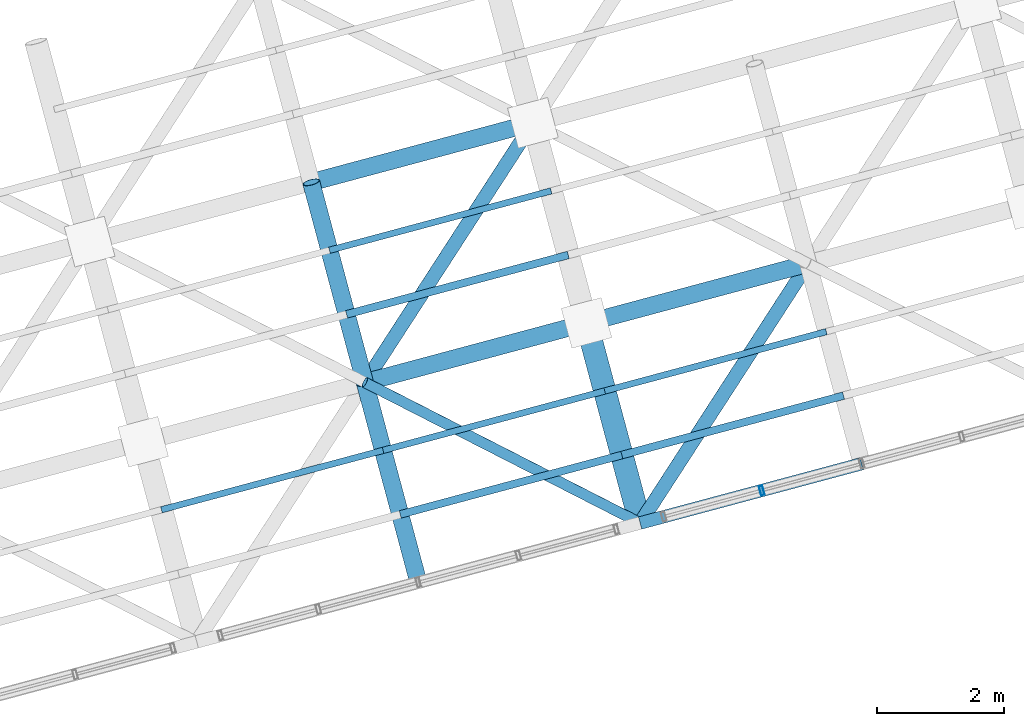
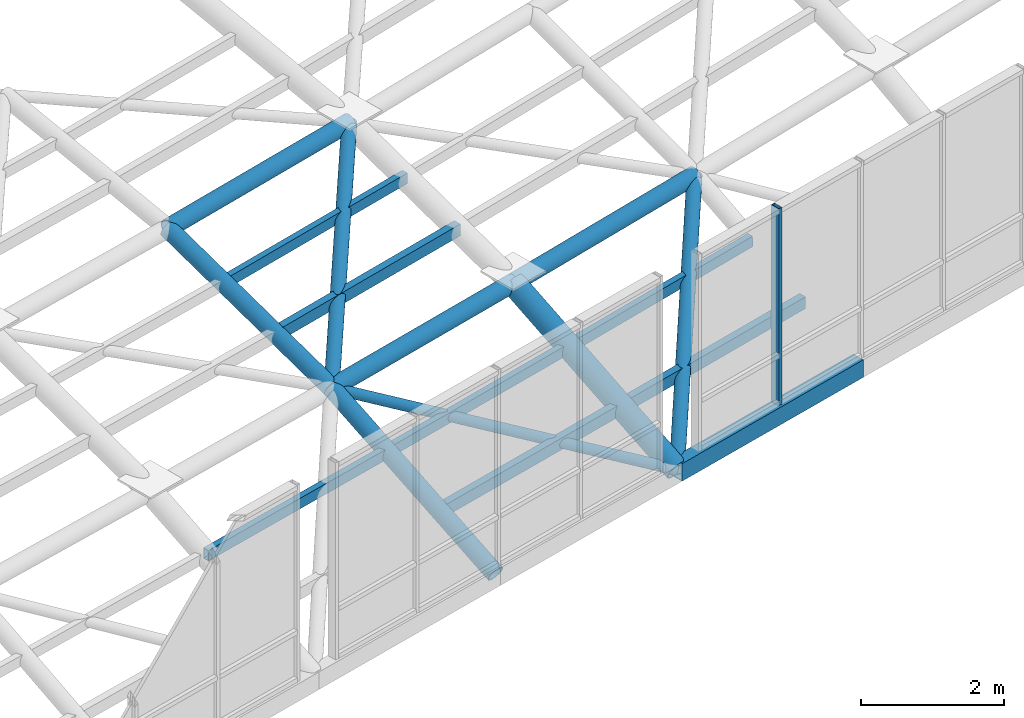
# One storey, part 13 of 29: 18 members, 1 element without a shape of its own.
"""IFC4 building model written with IfcOpenShell, lengths in metres."""

from ifc_helpers import new_model, si_unit, direction, frame, origin, origin_2d, place, context, subcontext, project, spatial, hollow_rectangle, hollow_circle, extrude, material, layer, layer_set, material_profile, profile_set, type_object, element, aggregate, save


model = new_model("IFC4")

# Units and contexts
model_context = context("Model", 3, precision=1e-05, world=origin(), true_north=direction((0.0, 1.0)))
body_context = subcontext(model_context, "Body", "Model", "MODEL_VIEW")
ifc_project = project(units=[si_unit("LENGTHUNIT", "METRE"), si_unit("AREAUNIT", "SQUARE_METRE"), si_unit("VOLUMEUNIT", "CUBIC_METRE"), si_unit("PLANEANGLEUNIT", "RADIAN"), si_unit("MASSUNIT", "GRAM", prefix="KILO")], contexts=[model_context])

# Site, building, storey
site_placement = place(None, origin())
site = spatial("IfcSite", under=ifc_project, at=site_placement, CompositionType="ELEMENT")
building_placement = place(site_placement, origin())
building = spatial("IfcBuilding", under=site, at=building_placement, Name="Ventoquebrada Cableway Terminal", CompositionType="ELEMENT")
storey_placement = place(building_placement, frame((0.0, 0.0, 18.89990234375)))
storey = spatial("IfcBuildingStorey", under=building, at=storey_placement, Name="L04", CompositionType="ELEMENT", Elevation=18.89990234375)

# Members
ifc_material_1 = material(Name="Steel ASTM A500 Grade C", Category="steel")
ifc_material_profile_1 = material_profile(ifc_material_1, hollow_circle(Radius=0.109619140625, WallThickness=0.010009765625, at=origin_2d()), Name="CHS219.1X10")
ifc_profile_set_1 = profile_set([ifc_material_profile_1], Name="Steel ASTM A500 Grade C")
member_type_1 = type_object("IfcMemberType", Name="BRC-GS01", PredefinedType="BRACE", material=ifc_profile_set_1)
member_1_placement = place(storey_placement, frame((68.52294921875, 77.58203125, 2.4951171875), z_axis=(0.528816074692, 0.816406633227, 0.232021051566), x_axis=(-0.839310782724, 0.543651919892, 0.0)))
element("IfcMember", 1, at=member_1_placement, inside=storey, type_object=member_type_1, Name="Saddle gridshell diagrid brace GBR-0316", PredefinedType="BRACE", context=body_context, shape_type="SweptSolid", body=[
    extrude(hollow_circle(Radius=0.109619140625, WallThickness=0.010009765625, at=origin_2d()), origin(), (0.0, 0.0, 1.0), 4.986572265625),
])
member_2_placement = place(storey_placement, frame((72.842041015625, 75.375, 0.920166015625), z_axis=(0.514518979655, 0.794628506599, 0.322235559917), x_axis=(-0.839402648036, 0.543510068416, 0.0)))
element("IfcMember", 2, at=member_2_placement, inside=storey, type_object=member_type_1, Name="Saddle gridshell diagrid brace GBR-0337", PredefinedType="BRACE", context=body_context, shape_type="SweptSolid", body=[
    extrude(hollow_circle(Radius=0.109619140625, WallThickness=0.010009765625, at=origin_2d()), origin(), (0.0, 0.0, 1.0), 5.123291015625),
])
ifc_material_profile_2 = material_profile(ifc_material_1, hollow_circle(Radius=0.084228515625, WallThickness=0.008056640625, at=origin_2d()), Name="CHS168.3X8")
ifc_profile_set_2 = profile_set([ifc_material_profile_2], Name="Steel ASTM A500 Grade C")
member_type_2 = type_object("IfcMemberType", Name="BRC-GS02", PredefinedType="BRACE", material=ifc_profile_set_2)
member_3_placement = place(storey_placement, frame((68.52294921875, 77.58203125, 2.4951171875), z_axis=(0.846945674883, -0.432784404553, -0.308837632054), x_axis=(0.455028578566, 0.890476834448, 0.0)))
element("IfcMember", 3, at=member_3_placement, inside=storey, type_object=member_type_2, Name="Saddle gridshell diagrid brace GBR-0313", PredefinedType="BRACE", context=body_context, shape_type="SweptSolid", body=[
    extrude(hollow_circle(Radius=0.084228515625, WallThickness=0.008056640625, at=origin_2d()), origin(), (0.0, 0.0, 1.0), 5.099609375),
])
ifc_material_profile_3 = material_profile(ifc_material_1, hollow_circle(Radius=0.177734375, WallThickness=0.012451171875, at=origin_2d()), Name="CHS355.6X12.5")
ifc_profile_set_3 = profile_set([ifc_material_profile_3], Name="Steel ASTM A500 Grade C")
member_type_3 = type_object("IfcMemberType", Name="CHD-GS01", PredefinedType="CHORD", material=ifc_profile_set_3)
member_4_placement = place(storey_placement, frame((72.842041015625, 75.375, 0.920166015625), z_axis=(-0.232368388901, 0.867216364616, 0.440386998878), x_axis=(-0.965926253902, -0.258817449225, 0.0)))
element("IfcMember", 4, at=member_4_placement, inside=storey, type_object=member_type_3, Name="Saddle gridshell arch chord GCH-0063", PredefinedType="CHORD", context=body_context, shape_type="SweptSolid", body=[
    extrude(hollow_circle(Radius=0.177734375, WallThickness=0.012451171875, at=origin_2d()), origin(), (0.0, 0.0, 1.0), 3.61962890625),
])
ifc_material_profile_4 = material_profile(ifc_material_1, hollow_circle(Radius=0.136474609375, WallThickness=0.012451171875, at=origin_2d()), Name="CHS273.0X12.5")
ifc_profile_set_4 = profile_set([ifc_material_profile_4], Name="Steel ASTM A500 Grade C")
member_type_4 = type_object("IfcMemberType", Name="CHD-GS02", PredefinedType="CHORD", material=ifc_profile_set_4)
member_5_placement = place(storey_placement, frame((69.364990234375, 74.443115234375, 0.920166015625), z_axis=(-0.233161148855, 0.86916581352, 0.436103963834), x_axis=(-0.965851091058, -0.25909779988, 0.0)))
element("IfcMember", 5, at=member_5_placement, inside=storey, type_object=member_type_4, Name="Saddle gridshell arch chord GCH-0055", PredefinedType="CHORD", context=body_context, shape_type="SweptSolid", body=[
    extrude(hollow_circle(Radius=0.136474609375, WallThickness=0.012451171875, at=origin_2d()), origin(), (0.0, 0.0, 1.0), 3.611328125),
])
member_6_placement = place(storey_placement, frame((68.52294921875, 77.58203125, 2.4951171875), z_axis=(-0.244576014343, 0.912776144094, 0.327142604961), x_axis=(-0.965926253902, -0.258817449225, 0.0)))
element("IfcMember", 6, at=member_6_placement, inside=storey, type_object=member_type_4, Name="Saddle gridshell arch chord GCH-0056", PredefinedType="CHORD", context=body_context, shape_type="SweptSolid", body=[
    extrude(hollow_circle(Radius=0.136474609375, WallThickness=0.012451171875, at=origin_2d()), origin(), (0.0, 0.0, 1.0), 3.43896484375),
])
member_7_placement = place(storey_placement, frame((68.52294921875, 77.58203125, 2.4951171875), z_axis=(0.96591577921, 0.258802508019, 0.005288602469), x_axis=(-0.25880612736, 0.965929287495, 0.0)))
element("IfcMember", 7, at=member_7_placement, inside=storey, type_object=member_type_4, Name="Saddle gridshell longitudinal chord GLG-0118", PredefinedType="CHORD", context=body_context, shape_type="SweptSolid", body=[
    extrude(hollow_circle(Radius=0.136474609375, WallThickness=0.012451171875, at=origin_2d()), origin(), (0.0, 0.0, 1.0), 3.600830078125),
])
member_8_placement = place(storey_placement, frame((72.0009765625, 78.513916015625, 2.51416015625), z_axis=(0.965773581626, 0.258904896408, 0.01580011547), x_axis=(-0.258937219442, 0.965894153822, 0.0)))
element("IfcMember", 8, at=member_8_placement, inside=storey, type_object=member_type_4, Name="Saddle gridshell longitudinal chord GLG-0119", PredefinedType="CHORD", context=body_context, shape_type="SweptSolid", body=[
    extrude(hollow_circle(Radius=0.136474609375, WallThickness=0.012451171875, at=origin_2d()), origin(), (0.0, 0.0, 1.0), 3.600341796875),
])
member_9_placement = place(storey_placement, frame((67.681884765625, 80.720947265625, 3.6201171875), z_axis=(0.965874236569, 0.258859176978, 0.008881758037), x_axis=(-0.258869387716, 0.96591233562, 0.0)))
element("IfcMember", 9, at=member_9_placement, inside=storey, type_object=member_type_4, Name="Saddle gridshell longitudinal chord GLG-0128", PredefinedType="CHORD", context=body_context, shape_type="SweptSolid", body=[
    extrude(hollow_circle(Radius=0.136474609375, WallThickness=0.012451171875, at=origin_2d()), origin(), (0.0, 0.0, 1.0), 3.600830078125),
])
ifc_material_profile_5 = material_profile(ifc_material_1, hollow_rectangle(XDim=0.199951171875, YDim=0.300048828125, WallThickness=0.012451171875, at=origin_2d()), Name="RHS300X200X12.5")
ifc_profile_set_5 = profile_set([ifc_material_profile_5], Name="Steel ASTM A500 Grade C")
member_type_5 = type_object("IfcMemberType", Name="CHD-GS03", PredefinedType="CHORD", material=ifc_profile_set_5)
member_10_placement = place(storey_placement, frame((72.842041015625, 75.375, 0.920166015625), z_axis=(0.965978920523, 0.258620813366, 0.0), x_axis=(-0.258620813366, 0.965978920523, 0.0)))
element("IfcMember", 10, at=member_10_placement, inside=storey, type_object=member_type_5, Name="Saddle gridshell longitudinal chord GLG-0109", PredefinedType="CHORD", context=body_context, shape_type="SweptSolid", body=[
    extrude(hollow_rectangle(XDim=0.199951171875, YDim=0.300048828125, WallThickness=0.012451171875, at=origin_2d()), origin(), (0.0, 0.0, 1.0), 3.599609375),
])

# Curtain wall, member
ifc_material_2 = material(Name="Anodized thermally-broken aluminium", Category="aluminium")
ifc_layer = layer(ifc_material_2, 0.159912109375)
ifc_layer_set = layer_set([ifc_layer], Name="Anodized thermally-broken aluminium")
curtain_wall_type = type_object("IfcCurtainWallType", Name="CW-T45", PredefinedType="USERDEFINED", material=ifc_layer_set)
curtain_wall_placement = place(storey_placement, origin())
curtain_wall = element("IfcCurtainWall", 11, at=curtain_wall_placement, inside=storey, type_object=curtain_wall_type, Name="Unitised glazed curtain wall CW-136", ObjectType="UNITISED CURTAIN WALL", PredefinedType="USERDEFINED")
ifc_material_profile_6 = material_profile(ifc_material_2, hollow_rectangle(XDim=0.06005859375, YDim=0.14990234375, WallThickness=0.00390625, at=origin_2d()), Name="CW-MUL-60X150")
ifc_profile_set_6 = profile_set([ifc_material_profile_6], Name="Anodized thermally-broken aluminium")
member_type_6 = type_object("IfcMemberType", Name="CWM-03", PredefinedType="MULLION", material=ifc_profile_set_6)
member_11_placement = place(storey_placement, frame((74.75, 75.885986328125, 1.087158203125), z_axis=(0.0, 0.0, 1.0), x_axis=(0.965903236389, 0.258903337047, 0.0)))
member_11 = element("IfcMember", 12, at=member_11_placement, type_object=member_type_6, Name="Curtain wall mullion FML-0662", PredefinedType="MULLION", context=body_context, shape_type="SweptSolid", body=[
    extrude(hollow_rectangle(XDim=0.06005859375, YDim=0.14990234375, WallThickness=0.00390625, at=origin_2d()), origin(), (0.0, 0.0, 1.0), 3.373046875),
])
aggregate(curtain_wall, [member_11])

# Members
ifc_material_profile_7 = material_profile(ifc_material_1, hollow_rectangle(XDim=0.1201171875, YDim=0.199951171875, WallThickness=0.008056640625, at=origin_2d()), Name="RHS200X120X8")
ifc_profile_set_7 = profile_set([ifc_material_profile_7], Name="Steel ASTM A500 Grade C")
member_type_7 = type_object("IfcMemberType", Name="PUR-RF01", PredefinedType="PURLIN", material=ifc_profile_set_7)
member_12_placement = place(storey_placement, frame((69.0791015625, 75.510009765625, 1.455078125), z_axis=(0.965904700239, 0.258890403821, 0.001966943073), x_axis=(-0.258890904628, 0.965906568722, 0.0)))
element("IfcMember", 13, at=member_12_placement, inside=storey, type_object=member_type_7, Name="Gridshell secondary roof purlin GPR-0314", PredefinedType="PURLIN", context=body_context, shape_type="SweptSolid", body=[
    extrude(hollow_rectangle(XDim=0.1201171875, YDim=0.199951171875, WallThickness=0.008056640625, at=origin_2d()), origin(), (0.0, 0.0, 1.0), 3.599609375),
])
member_13_placement = place(storey_placement, frame((68.237060546875, 78.64892578125, 2.877197265625), z_axis=(0.965891013272, 0.258863673219, 0.006644484017), x_axis=(-0.258869387716, 0.96591233562, 0.0)))
element("IfcMember", 14, at=member_13_placement, inside=storey, type_object=member_type_7, Name="Gridshell secondary roof purlin GPR-0317", PredefinedType="PURLIN", context=body_context, shape_type="SweptSolid", body=[
    extrude(hollow_rectangle(XDim=0.1201171875, YDim=0.199951171875, WallThickness=0.008056640625, at=origin_2d()), origin(), (0.0, 0.0, 1.0), 3.600830078125),
])
member_14_placement = place(storey_placement, frame((72.555908203125, 76.44189453125, 1.462158203125), z_axis=(0.965880639423, 0.258933596497, 0.005289895371), x_axis=(-0.258937219442, 0.965894153822, 0.0)))
element("IfcMember", 15, at=member_14_placement, inside=storey, type_object=member_type_7, Name="Gridshell secondary roof purlin GPR-0338", PredefinedType="PURLIN", context=body_context, shape_type="SweptSolid", body=[
    extrude(hollow_rectangle(XDim=0.1201171875, YDim=0.199951171875, WallThickness=0.008056640625, at=origin_2d()), origin(), (0.0, 0.0, 1.0), 3.599853515625),
])
ifc_material_profile_8 = material_profile(ifc_material_1, hollow_rectangle(XDim=0.10009765625, YDim=0.179931640625, WallThickness=0.008056640625, at=origin_2d()), Name="RHS180X100X8")
ifc_profile_set_8 = profile_set([ifc_material_profile_8], Name="Steel ASTM A500 Grade C")
member_type_8 = type_object("IfcMemberType", Name="PUR-RF02", PredefinedType="PURLIN", material=ifc_profile_set_8)
member_15_placement = place(storey_placement, frame((65.33203125, 75.5830078125, 1.97216796875), z_axis=(0.965905780569, 0.258872515407, -0.003323225899), x_axis=(-0.258873944891, 0.965911114263, 0.0)))
element("IfcMember", 16, at=member_15_placement, inside=storey, type_object=member_type_8, Name="Gridshell secondary roof purlin GPR-0291", PredefinedType="PURLIN", context=body_context, shape_type="SweptSolid", body=[
    extrude(hollow_rectangle(XDim=0.10009765625, YDim=0.179931640625, WallThickness=0.008056640625, at=origin_2d()), origin(), (0.0, 0.0, 1.0), 3.599853515625),
])
for number, where, z_axis, x_axis, name in (
    (17, (68.80908203125, 76.514892578125, 1.960205078125), (0.965907004901, 0.258867959056, 0.003322297013), (-0.258869387716, 0.96591233562, 0.0), "Gridshell secondary roof purlin GPR-0315"),
    (18, (67.968017578125, 79.654052734375, 3.237060546875), (0.965899924794, 0.258798260069, 0.007797170529), (-0.25880612736, 0.965929287495, 0.0), "Gridshell secondary roof purlin GPR-0318"),
):
    element("IfcMember", number, at=place(storey_placement, frame(where, z_axis=z_axis, x_axis=x_axis)), inside=storey, type_object=member_type_8, Name=name, PredefinedType="PURLIN", context=body_context, shape_type="SweptSolid", body=[
        extrude(hollow_rectangle(XDim=0.10009765625, YDim=0.179931640625, WallThickness=0.008056640625, at=origin_2d()), origin(), (0.0, 0.0, 1.0), 3.600830078125),
    ])
member_16_placement = place(storey_placement, frame((72.287109375, 77.447021484375, 1.97216796875), z_axis=(0.965920999285, 0.258623465366, 0.010513148999), x_axis=(-0.258637758898, 0.965974383549, 0.0)))
element("IfcMember", 19, at=member_16_placement, inside=storey, type_object=member_type_8, Name="Gridshell secondary roof purlin GPR-0339", PredefinedType="PURLIN", context=body_context, shape_type="SweptSolid", body=[
    extrude(hollow_rectangle(XDim=0.10009765625, YDim=0.179931640625, WallThickness=0.008056640625, at=origin_2d()), origin(), (0.0, 0.0, 1.0), 3.599365234375),
])

save(model, "model.ifc")
